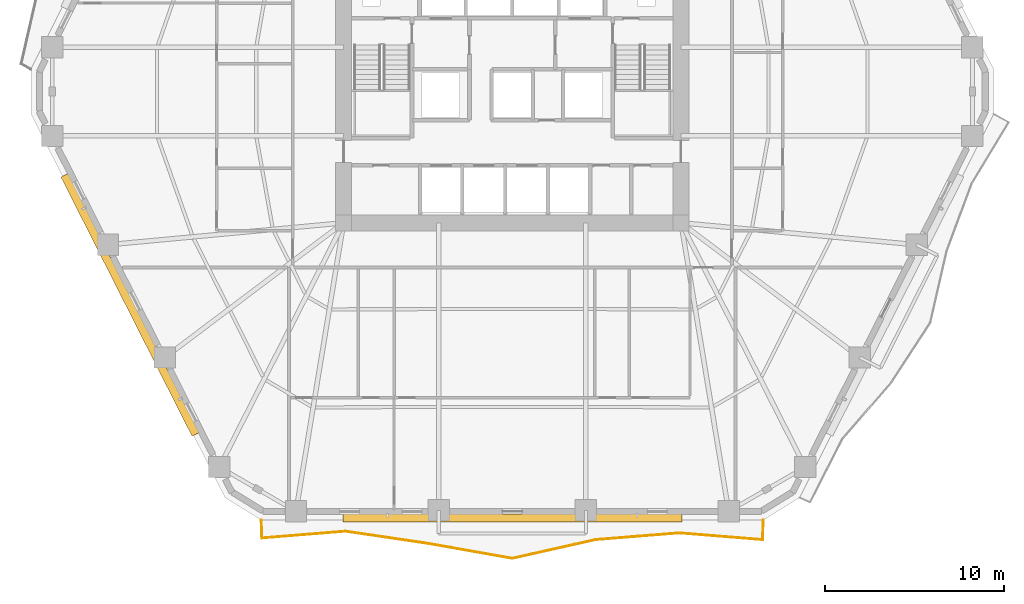
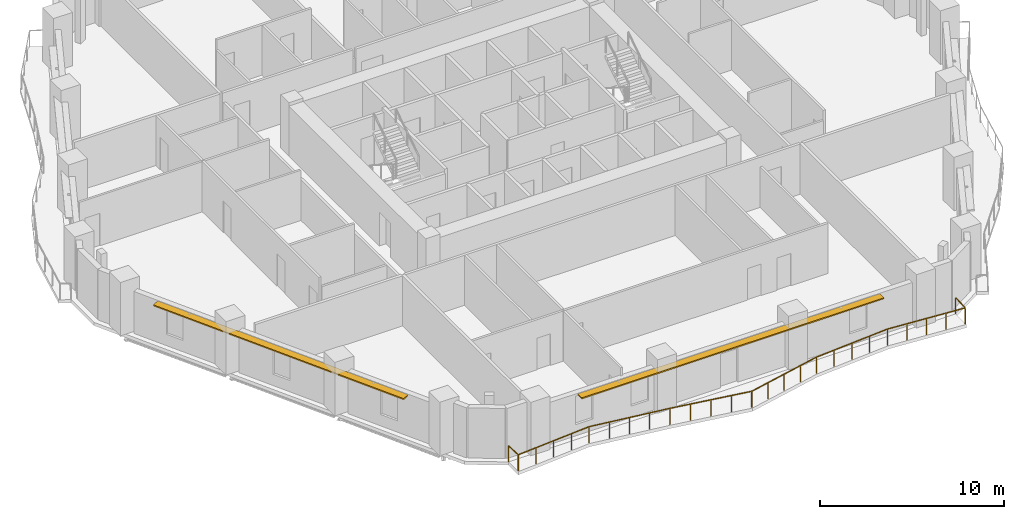
# One storey, part 10 of 13: 2 shading devices, 1 railing.
"""IFC4 building model written with IfcOpenShell, lengths in metres."""

from ifc_helpers import new_model, si_unit, direction, frame, origin, origin_2d, place, context, subcontext, project, spatial, rectangle, extrude, material, layer, layer_set, type_object, element, save


model = new_model("IFC4")

# Units and contexts
model_context = context("Model", 3, precision=1e-05, world=origin(), true_north=direction((0.0, 1.0)))
body_context = subcontext(model_context, "Body", "Model", "MODEL_VIEW")
ifc_project = project(units=[si_unit("LENGTHUNIT", "METRE"), si_unit("AREAUNIT", "SQUARE_METRE"), si_unit("VOLUMEUNIT", "CUBIC_METRE"), si_unit("PLANEANGLEUNIT", "RADIAN"), si_unit("MASSUNIT", "GRAM", prefix="KILO")], contexts=[model_context])

# Site, building, storey
site_placement = place(None, origin())
site = spatial("IfcSite", under=ifc_project, at=site_placement, CompositionType="ELEMENT")
building_placement = place(site_placement, origin())
building = spatial("IfcBuilding", under=site, at=building_placement, Name="Cinnabar Lancet Tower", CompositionType="ELEMENT")
storey_placement = place(building_placement, frame((0.0, 0.0, 49.75)))
storey = spatial("IfcBuildingStorey", under=building, at=storey_placement, Name="L12", CompositionType="ELEMENT", Elevation=49.75)

# Railing
ifc_material_1 = material(Name="Laminated safety glass and bronze stainless steel balustrade", Category="steel")
railing_type = type_object("IfcRailingType", Name="ENV-RLG-BAL-1100", PredefinedType="BALUSTRADE", material=ifc_material_1)
railing_placement = place(storey_placement, frame((18.343994140625, 1.800048828125, 0.0)))
element("IfcRailing", 1, at=railing_placement, inside=storey, type_object=railing_type, Name="L12 Face 1 Wave Balcony Balustrade", PredefinedType="BALUSTRADE", context=body_context, shape_type="SweptSolid", body=[
    extrude(rectangle(XDim=0.048095703125, YDim=0.048095703125, at=origin_2d()), frame((0.0, 0.0, 1.076171875), z_axis=(0.033645266033, -0.999433837767, 0.0), x_axis=(0.999433837767, 0.033645266033, 0.0)), (0.0, 0.0, 1.0), 1.008544921875),
    extrude(rectangle(XDim=0.048095703125, YDim=0.048095703125, at=origin_2d()), frame((0.033935546875, -1.008056640625, 1.076171875), z_axis=(0.996712032056, 0.081025459923, 0.0), x_axis=(-0.081025459923, 0.996712032056, 0.0)), (0.0, 0.0, 1.0), 4.69140625),
    extrude(rectangle(XDim=0.048095703125, YDim=0.048095703125, at=origin_2d()), frame((4.7099609375, -0.6279296875, 1.076171875), z_axis=(0.989243098411, -0.146280867673, 0.0), x_axis=(0.146280867673, 0.989243098411, 0.0)), (0.0, 0.0, 1.0), 4.724853515625),
    extrude(rectangle(XDim=0.048095703125, YDim=0.048095703125, at=origin_2d()), frame((9.384033203125, -1.319091796875, 1.076171875), z_axis=(0.984694847635, -0.174287283076, 0.0), x_axis=(0.174287283076, 0.984694847635, 0.0)), (0.0, 0.0, 1.0), 4.744384765625),
    extrude(rectangle(XDim=0.048095703125, YDim=0.048095703125, at=origin_2d()), frame((14.055908203125, -2.14599609375, 1.076171875), z_axis=(0.975716919232, 0.219035370488, 0.0), x_axis=(-0.219035370488, 0.975716919232, 0.0)), (0.0, 0.0, 1.0), 4.788330078125),
    extrude(rectangle(XDim=0.048095703125, YDim=0.048095703125, at=origin_2d()), frame((18.72802734375, -1.09716796875, 1.076171875), z_axis=(0.996846657162, 0.079352013869, 0.0), x_axis=(-0.079352013869, 0.996846657162, 0.0)), (0.0, 0.0, 1.0), 4.68896484375),
    extrude(rectangle(XDim=0.048095703125, YDim=0.048095703125, at=origin_2d()), frame((23.402099609375, -0.72509765625, 1.076171875), z_axis=(0.996783094814, -0.08014650269, 0.0), x_axis=(0.08014650269, 0.996783094814, 0.0)), (0.0, 0.0, 1.0), 4.691162109375),
    extrude(rectangle(XDim=0.048095703125, YDim=0.048095703125, at=origin_2d()), frame((28.078125, -1.10107421875, 1.076171875), z_axis=(0.030805771431, 0.999525389596, 0.0), x_axis=(-0.999525389596, 0.030805771431, 0.0)), (0.0, 0.0, 1.0), 1.1015625),
    extrude(rectangle(XDim=0.0419921875, YDim=0.0419921875, at=origin_2d()), origin(), (0.0, 0.0, 1.0), 1.052001953125),
    extrude(rectangle(XDim=0.0419921875, YDim=0.0419921875, at=origin_2d()), frame((0.033935546875, -1.008056640625, 0.0)), (0.0, 0.0, 1.0), 1.052001953125),
    extrude(rectangle(XDim=0.0419921875, YDim=0.0419921875, at=origin_2d()), frame((1.202880859375, -0.9130859375, 0.0)), (0.0, 0.0, 1.0), 1.052001953125),
    extrude(rectangle(XDim=0.0419921875, YDim=0.0419921875, at=origin_2d()), frame((2.3720703125, -0.81787109375, 0.0)), (0.0, 0.0, 1.0), 1.052001953125),
    extrude(rectangle(XDim=0.0419921875, YDim=0.0419921875, at=origin_2d()), frame((3.541015625, -0.722900390625, 0.0)), (0.0, 0.0, 1.0), 1.052001953125),
    extrude(rectangle(XDim=0.0419921875, YDim=0.0419921875, at=origin_2d()), frame((4.7099609375, -0.6279296875, 0.0)), (0.0, 0.0, 1.0), 1.052001953125),
    extrude(rectangle(XDim=0.0419921875, YDim=0.0419921875, at=origin_2d()), frame((5.87841796875, -0.80078125, 0.0)), (0.0, 0.0, 1.0), 1.052001953125),
    extrude(rectangle(XDim=0.0419921875, YDim=0.0419921875, at=origin_2d()), frame((7.046875, -0.9736328125, 0.0)), (0.0, 0.0, 1.0), 1.052001953125),
    extrude(rectangle(XDim=0.0419921875, YDim=0.0419921875, at=origin_2d()), frame((8.215576171875, -1.146240234375, 0.0)), (0.0, 0.0, 1.0), 1.052001953125),
    extrude(rectangle(XDim=0.0419921875, YDim=0.0419921875, at=origin_2d()), frame((9.384033203125, -1.319091796875, 0.0)), (0.0, 0.0, 1.0), 1.052001953125),
    extrude(rectangle(XDim=0.0419921875, YDim=0.0419921875, at=origin_2d()), frame((10.552001953125, -1.52587890625, 0.0)), (0.0, 0.0, 1.0), 1.052001953125),
    extrude(rectangle(XDim=0.0419921875, YDim=0.0419921875, at=origin_2d()), frame((11.719970703125, -1.732421875, 0.0)), (0.0, 0.0, 1.0), 1.052001953125),
    extrude(rectangle(XDim=0.0419921875, YDim=0.0419921875, at=origin_2d()), frame((12.887939453125, -1.939208984375, 0.0)), (0.0, 0.0, 1.0), 1.052001953125),
    extrude(rectangle(XDim=0.0419921875, YDim=0.0419921875, at=origin_2d()), frame((14.055908203125, -2.14599609375, 0.0)), (0.0, 0.0, 1.0), 1.052001953125),
    extrude(rectangle(XDim=0.0419921875, YDim=0.0419921875, at=origin_2d()), frame((15.223876953125, -1.8837890625, 0.0)), (0.0, 0.0, 1.0), 1.052001953125),
    extrude(rectangle(XDim=0.0419921875, YDim=0.0419921875, at=origin_2d()), frame((16.39208984375, -1.62158203125, 0.0)), (0.0, 0.0, 1.0), 1.052001953125),
    extrude(rectangle(XDim=0.0419921875, YDim=0.0419921875, at=origin_2d()), frame((17.56005859375, -1.359375, 0.0)), (0.0, 0.0, 1.0), 1.052001953125),
    extrude(rectangle(XDim=0.0419921875, YDim=0.0419921875, at=origin_2d()), frame((18.72802734375, -1.09716796875, 0.0)), (0.0, 0.0, 1.0), 1.052001953125),
    extrude(rectangle(XDim=0.0419921875, YDim=0.0419921875, at=origin_2d()), frame((19.896484375, -1.004150390625, 0.0)), (0.0, 0.0, 1.0), 1.052001953125),
    extrude(rectangle(XDim=0.0419921875, YDim=0.0419921875, at=origin_2d()), frame((21.06494140625, -0.9111328125, 0.0)), (0.0, 0.0, 1.0), 1.052001953125),
    extrude(rectangle(XDim=0.0419921875, YDim=0.0419921875, at=origin_2d()), frame((22.233642578125, -0.818115234375, 0.0)), (0.0, 0.0, 1.0), 1.052001953125),
    extrude(rectangle(XDim=0.0419921875, YDim=0.0419921875, at=origin_2d()), frame((23.402099609375, -0.72509765625, 0.0)), (0.0, 0.0, 1.0), 1.052001953125),
    extrude(rectangle(XDim=0.0419921875, YDim=0.0419921875, at=origin_2d()), frame((24.571044921875, -0.819091796875, 0.0)), (0.0, 0.0, 1.0), 1.052001953125),
    extrude(rectangle(XDim=0.0419921875, YDim=0.0419921875, at=origin_2d()), frame((25.740234375, -0.9130859375, 0.0)), (0.0, 0.0, 1.0), 1.052001953125),
    extrude(rectangle(XDim=0.0419921875, YDim=0.0419921875, at=origin_2d()), frame((26.9091796875, -1.007080078125, 0.0)), (0.0, 0.0, 1.0), 1.052001953125),
    extrude(rectangle(XDim=0.0419921875, YDim=0.0419921875, at=origin_2d()), frame((28.078125, -1.10107421875, 0.0)), (0.0, 0.0, 1.0), 1.052001953125),
    extrude(rectangle(XDim=0.0419921875, YDim=0.0419921875, at=origin_2d()), frame((28.112060546875, 0.0, 0.0)), (0.0, 0.0, 1.0), 1.052001953125),
])

# Shading devices
ifc_material_2 = material(Name="Pale limestone architectural aluminium sunshade", Category="masonry")
ifc_layer = layer(ifc_material_2, 0.080078125)
ifc_layer_set = layer_set([ifc_layer], Name="Pale limestone architectural aluminium sunshade")
shading_device_type = type_object("IfcShadingDeviceType", Name="ENV-SHD-LVR-450", PredefinedType="JALOUSIE", material=ifc_layer_set)
shading_device_1_placement = place(storey_placement, frame((32.39990234375, 1.929931640625, 2.639892578125), z_axis=(0.0, 0.0, 1.0), x_axis=(1.0, 0.0, 0.0)))
element("IfcShadingDevice", 2, at=shading_device_1_placement, inside=storey, type_object=shading_device_type, Name="L12 Face 1 Horizontal Sunshade Canopy", PredefinedType="JALOUSIE", context=body_context, shape_type="SweptSolid", body=[
    extrude(rectangle(XDim=18.993896484375, YDim=0.449951171875, at=origin_2d()), origin(), (0.0, 0.0, 1.0), 0.080078125),
])
shading_device_2_placement = place(storey_placement, frame((10.989990234375, 13.85595703125, 2.639892578125), z_axis=(0.0, 0.0, 1.0), x_axis=(0.451500573218, -0.892270829056, 0.0)))
element("IfcShadingDevice", 3, at=shading_device_2_placement, inside=storey, type_object=shading_device_type, Name="L12 Face 6 Horizontal Sunshade Canopy", PredefinedType="JALOUSIE", context=body_context, shape_type="SweptSolid", body=[
    extrude(rectangle(XDim=16.279052734375, YDim=0.449951171875, at=origin_2d()), origin(), (0.0, 0.0, 1.0), 0.080078125),
])

save(model, "model.ifc")
